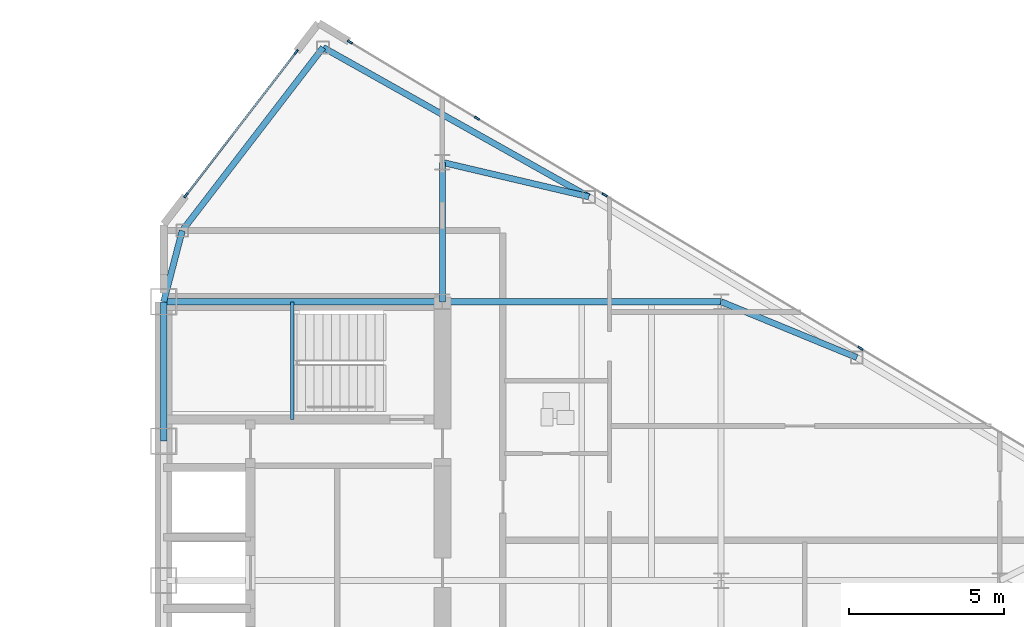
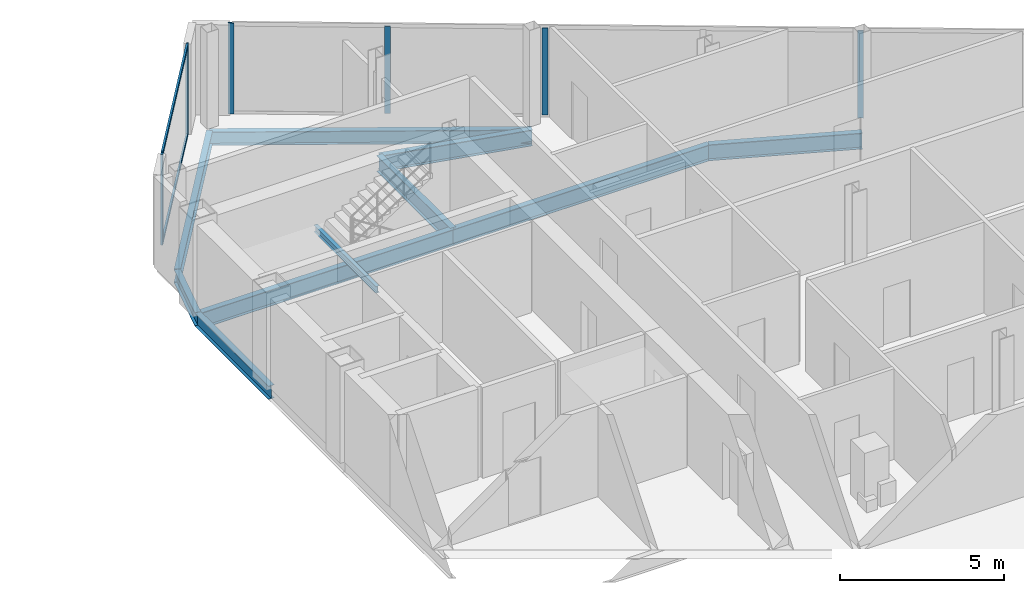
# One storey, part 15 of 26: 10 beams, 8 members, 2 elements without a shape of their own.
"""IFC4 building model written with IfcOpenShell, lengths in metres."""

from ifc_helpers import new_model, si_unit, direction, frame, origin, origin_2d, place, context, subcontext, project, spatial, rectangle, i_section, extrude, source, transform, mapped, material, layer, layer_set, material_profile, profile_set, type_object, type_shapes, element, aggregate, save


model = new_model("IFC4")

# Units and contexts
model_context = context("Model", 3, precision=1e-05, world=origin(), true_north=direction((0.0, 1.0)))
body_context = subcontext(model_context, "Body", "Model", "MODEL_VIEW")
ifc_project = project(units=[si_unit("LENGTHUNIT", "METRE"), si_unit("AREAUNIT", "SQUARE_METRE"), si_unit("VOLUMEUNIT", "CUBIC_METRE"), si_unit("PLANEANGLEUNIT", "RADIAN"), si_unit("MASSUNIT", "GRAM", prefix="KILO")], contexts=[model_context])

# Site, building, storey
site_placement = place(None, origin())
site = spatial("IfcSite", under=ifc_project, at=site_placement, CompositionType="ELEMENT")
building_placement = place(site_placement, origin())
building = spatial("IfcBuilding", under=site, at=building_placement, Name="Seokmaru Belvedere", CompositionType="ELEMENT")
storey_placement = place(building_placement, frame((0.0, 0.0, 199.5)))
storey = spatial("IfcBuildingStorey", under=building, at=storey_placement, Name="L53", CompositionType="ELEMENT", Elevation=199.5)

# Beams
ifc_material_1 = material(Name="Steel SM355 (355 MPa)", Category="steel")
ifc_material_profile_1 = material_profile(ifc_material_1, i_section(OverallWidth=0.199951171875, OverallDepth=0.5, WebThickness=0.010009765625, FlangeThickness=0.01611328125, at=origin_2d()), Name="H-500x200x10x16")
ifc_profile_set_1 = profile_set([ifc_material_profile_1], Name="Steel SM355 (355 MPa)")
beam_type_1 = type_object("IfcBeamType", Name="Perimeter Spandrel Beam H-500", PredefinedType="SPANDREL", material=ifc_profile_set_1)
shared_shape_1 = source(origin(), body_context, "Body", "SweptSolid", [
    extrude(i_section(OverallWidth=0.199951171875, OverallDepth=0.5, WebThickness=0.010009765625, FlangeThickness=0.01611328125, at=origin_2d()), origin(), (0.0, 0.0, 1.0), 4.5),
])
beam_1_placement = place(storey_placement, frame((27.5, 9.0, -0.469970703125), z_axis=(0.0, 1.0, 0.0), x_axis=(-1.0, 0.0, 0.0)))
element("IfcBeam", 1, at=beam_1_placement, inside=storey, type_object=beam_type_1, Name="L53 E Portal Spine Spandrel 5", PredefinedType="SPANDREL", context=body_context, shape_type="MappedRepresentation", body=[
    mapped(shared_shape_1, transform((0.0, 0.0, 0.0), scale=1.0)),
])
ifc_material_profile_2 = material_profile(ifc_material_1, i_section(OverallWidth=0.199951171875, OverallDepth=0.60009765625, WebThickness=0.010986328125, FlangeThickness=0.01708984375, at=origin_2d()), Name="H-600x200x11x17")
ifc_profile_set_2 = profile_set([ifc_material_profile_2], Name="Steel SM355 (355 MPa)")
beam_type_2 = type_object("IfcBeamType", Name="Primary Floor Girder H-600", PredefinedType="BEAM", material=ifc_profile_set_2)
shared_shape_2 = source(origin(), body_context, "Body", "SweptSolid", [
    extrude(i_section(OverallWidth=0.199951171875, OverallDepth=0.60009765625, WebThickness=0.010986328125, FlangeThickness=0.01708984375, at=origin_2d()), origin(), (0.0, 0.0, 1.0), 9.0),
])
for number, where, z_axis, x_axis, name in (
    (2, (27.5, 13.5, -0.52001953125), (1.0, 0.0, 0.0), (0.0, 1.0, 0.0), "L53 E Core Tie Girder 4"),
    (3, (36.5, 13.5, -0.52001953125), (1.0, 0.0, 0.0), (0.0, 1.0, 0.0), "L53 E Wing Primary Girder 4"),
):
    element("IfcBeam", number, at=place(storey_placement, frame(where, z_axis=z_axis, x_axis=x_axis)), inside=storey, type_object=beam_type_2, Name=name, PredefinedType="BEAM", context=body_context, shape_type="MappedRepresentation", body=[
        mapped(shared_shape_2, transform((0.0, 0.0, 0.0), scale=1.0)),
    ])
shared_shape_3 = source(origin(), body_context, "Body", "SweptSolid", [
    extrude(i_section(OverallWidth=0.199951171875, OverallDepth=0.60009765625, WebThickness=0.010986328125, FlangeThickness=0.01708984375, at=origin_2d()), origin(), (0.0, 0.0, 1.0), 4.5),
])
beam_2_placement = place(storey_placement, frame((36.5, 13.5, -0.52001953125), z_axis=(0.0, 1.0, 0.0), x_axis=(-1.0, 0.0, 0.0)))
element("IfcBeam", 4, at=beam_2_placement, inside=storey, type_object=beam_type_2, Name="L53 E Core Shoulder Girder N", PredefinedType="BEAM", context=body_context, shape_type="MappedRepresentation", body=[
    mapped(shared_shape_3, transform((0.0, 0.0, 0.0), scale=1.0)),
])
shared_shape_4 = source(origin(), body_context, "Body", "SweptSolid", [
    extrude(i_section(OverallWidth=0.199951171875, OverallDepth=0.5, WebThickness=0.010009765625, FlangeThickness=0.01611328125, at=origin_2d()), origin(), (0.0, 0.0, 1.0), 9.842041015625),
])
beam_3_placement = place(storey_placement, frame((32.649658203125, 21.71044921875, -0.469970703125), z_axis=(0.871782151818, -0.489893743349, 0.0), x_axis=(0.489893743349, 0.871782151818, 0.0)))
element("IfcBeam", 5, at=beam_3_placement, inside=storey, type_object=beam_type_1, Name="L53 E Faceted Flank Spandrel N-1", PredefinedType="SPANDREL", context=body_context, shape_type="MappedRepresentation", body=[
    mapped(shared_shape_4, transform((0.0, 0.0, 0.0), scale=1.0)),
])
shared_shape_5 = source(origin(), body_context, "Body", "SweptSolid", [
    extrude(i_section(OverallWidth=0.199951171875, OverallDepth=0.5, WebThickness=0.010009765625, FlangeThickness=0.01611328125, at=origin_2d()), origin(), (0.0, 0.0, 1.0), 7.4619140625),
])
beam_4_placement = place(storey_placement, frame((32.649658203125, 21.71044921875, -0.469970703125), z_axis=(-0.609702854945, -0.792630070507, 0.0), x_axis=(0.792630070507, -0.609702854945, 0.0)))
element("IfcBeam", 6, at=beam_4_placement, inside=storey, type_object=beam_type_1, Name="L53 E Shoulder Chamfer Spandrel N", PredefinedType="SPANDREL", context=body_context, shape_type="MappedRepresentation", body=[
    mapped(shared_shape_5, transform((0.0, 0.0, 0.0), scale=1.0)),
])
shared_shape_6 = source(origin(), body_context, "Body", "SweptSolid", [
    extrude(i_section(OverallWidth=0.199951171875, OverallDepth=0.5, WebThickness=0.010009765625, FlangeThickness=0.01611328125, at=origin_2d()), origin(), (0.0, 0.0, 1.0), 2.373046875),
])
type_shapes(beam_type_1, [shared_shape_1, shared_shape_4, shared_shape_5, shared_shape_6])
beam_5_placement = place(storey_placement, frame((28.10009765625, 15.7958984375, -0.469970703125), z_axis=(-0.252882558842, -0.967496982648, 0.0), x_axis=(0.967496982648, -0.252882558842, 0.0)))
element("IfcBeam", 7, at=beam_5_placement, inside=storey, type_object=beam_type_1, Name="L53 E Shoulder Spine Spandrel N", PredefinedType="SPANDREL", context=body_context, shape_type="MappedRepresentation", body=[
    mapped(shared_shape_6, transform((0.0, 0.0, 0.0), scale=1.0)),
])
shared_shape_7 = source(origin(), body_context, "Body", "SweptSolid", [
    extrude(i_section(OverallWidth=0.199951171875, OverallDepth=0.60009765625, WebThickness=0.010986328125, FlangeThickness=0.01708984375, at=origin_2d()), origin(), (0.0, 0.0, 1.0), 4.8583984375),
])
beam_6_placement = place(storey_placement, frame((41.229736328125, 16.888916015625, -0.52001953125), z_axis=(-0.97349948295, 0.228689214211, 0.0), x_axis=(-0.228689214211, -0.97349948295, 0.0)))
element("IfcBeam", 8, at=beam_6_placement, inside=storey, type_object=beam_type_2, Name="L53 E Flank Radial Floor Girder N-1", PredefinedType="BEAM", context=body_context, shape_type="MappedRepresentation", body=[
    mapped(shared_shape_7, transform((0.0, 0.0, 0.0), scale=1.0)),
])
shared_shape_8 = source(origin(), body_context, "Body", "SweptSolid", [
    extrude(i_section(OverallWidth=0.199951171875, OverallDepth=0.60009765625, WebThickness=0.010986328125, FlangeThickness=0.01708984375, at=origin_2d()), origin(), (0.0, 0.0, 1.0), 4.73583984375),
])
type_shapes(beam_type_2, [shared_shape_2, shared_shape_3, shared_shape_7, shared_shape_8])
beam_7_placement = place(storey_placement, frame((49.8798828125, 11.698974609375, -0.52001953125), z_axis=(-0.924860562953, 0.380306375301, 0.0), x_axis=(-0.380306375301, -0.924860562953, 0.0)))
element("IfcBeam", 9, at=beam_7_placement, inside=storey, type_object=beam_type_2, Name="L53 E Flank Radial Floor Girder N-2", PredefinedType="BEAM", context=body_context, shape_type="MappedRepresentation", body=[
    mapped(shared_shape_8, transform((0.0, 0.0, 0.0), scale=1.0)),
])

# Curtain wall, member
ifc_material_2 = material(Name="Bronze Triple Insulating Glass", Category="glass")
ifc_layer = layer(ifc_material_2, 0.179931640625)
ifc_layer_set = layer_set([ifc_layer], Name="Bronze Triple Insulating Glass")
curtain_wall_type = type_object("IfcCurtainWallType", Name="High-Rise Wind-Corner Curtain Wall System CW-5", PredefinedType="NOTDEFINED", material=ifc_layer_set)
curtain_wall_1_placement = place(storey_placement, origin())
curtain_wall_1 = element("IfcCurtainWall", 10, at=curtain_wall_1_placement, inside=storey, type_object=curtain_wall_type, Name="L53 Curtain Wall EF3", PredefinedType="NOTDEFINED")
ifc_material_3 = material(Name="Anodised Bronze Aluminium", Category="aluminium")
ifc_material_profile_3 = material_profile(ifc_material_3, rectangle(XDim=0.06494140625, YDim=0.179931640625, at=origin_2d()), Name="CW-M-65x180")
ifc_profile_set_3 = profile_set([ifc_material_profile_3], Name="Anodised Bronze Aluminium")
member_type_1 = type_object("IfcMemberType", Name="Bronze Unitised Mullion 65x180", PredefinedType="MULLION", material=ifc_profile_set_3)
shared_shape_9 = source(origin(), body_context, "Body", "SweptSolid", [
    extrude(rectangle(XDim=0.06494140625, YDim=0.179931640625, at=origin_2d()), origin(), (0.0, 0.0, 1.0), 3.3798828125),
])
member_1_placement = place(storey_placement, frame((33.513916015625, 21.8916015625, 0.0), z_axis=(0.0, 0.0, 1.0), x_axis=(-0.514494909364, -0.85749343335, 0.0)))
member_1 = element("IfcMember", 11, at=member_1_placement, type_object=member_type_1, Name="CW:L53:EF3 Mullion 9", PredefinedType="MULLION", context=body_context, shape_type="MappedRepresentation", body=[
    mapped(shared_shape_9, transform((0.0, 0.0, 0.0), scale=1.0)),
])

# Curtain wall, members
curtain_wall_2_placement = place(storey_placement, origin())
curtain_wall_2 = element("IfcCurtainWall", 12, at=curtain_wall_2_placement, inside=storey, type_object=curtain_wall_type, Name="L53 Curtain Wall EF4", PredefinedType="NOTDEFINED")
member_2_placement = place(storey_placement, frame((31.779052734375, 21.562744140625, 0.0), z_axis=(0.0, 0.0, 1.0), x_axis=(0.792631353244, -0.609701187349, 0.0)))
member_2 = element("IfcMember", 13, at=member_2_placement, type_object=member_type_1, Name="CW:L53:EF4 Mullion 1", PredefinedType="MULLION", context=body_context, shape_type="MappedRepresentation", body=[
    mapped(shared_shape_9, transform((0.0, 0.0, 0.0), scale=1.0)),
])
member_3_placement = place(storey_placement, frame((28.220947265625, 16.937255859375, 0.0), z_axis=(0.0, 0.0, 1.0), x_axis=(0.792631353244, -0.609701187349, 0.0)))
member_3 = element("IfcMember", 14, at=member_3_placement, type_object=member_type_1, Name="CW:L53:EF4 Mullion 2", PredefinedType="MULLION", context=body_context, shape_type="MappedRepresentation", body=[
    mapped(shared_shape_9, transform((0.0, 0.0, 0.0), scale=1.0)),
])

# Member
shared_shape_10 = source(origin(), body_context, "Body", "SweptSolid", [
    extrude(rectangle(XDim=0.06494140625, YDim=0.179931640625, at=origin_2d()), origin(), (0.0, 0.0, 1.0), 3.25),
])
type_shapes(member_type_1, [shared_shape_9, shared_shape_10])
member_4_placement = place(storey_placement, frame((50.0, 12.0, 0.06494140625), z_axis=(0.0, 0.0, 1.0), x_axis=(-0.514494909364, -0.85749343335, 0.0)))
member_4 = element("IfcMember", 15, at=member_4_placement, type_object=member_type_1, Name="CW:L53:EF3 Mullion 5", PredefinedType="MULLION", context=body_context, shape_type="MappedRepresentation", body=[
    mapped(shared_shape_10, transform((0.0, 0.0, 0.0), scale=1.0)),
])

member_5_placement = place(storey_placement, frame((41.742919921875, 16.9541015625, 0.06494140625), z_axis=(0.0, 0.0, 1.0), x_axis=(-0.514494909364, -0.85749343335, 0.0)))
member_5 = element("IfcMember", 16, at=member_5_placement, type_object=member_type_1, Name="CW:L53:EF3 Mullion 7", PredefinedType="MULLION", context=body_context, shape_type="MappedRepresentation", body=[
    mapped(shared_shape_10, transform((0.0, 0.0, 0.0), scale=1.0)),
])

member_6_placement = place(storey_placement, frame((37.614501953125, 19.43115234375, 0.06494140625), z_axis=(0.0, 0.0, 1.0), x_axis=(-0.514494909364, -0.85749343335, 0.0)))
member_6 = element("IfcMember", 17, at=member_6_placement, type_object=member_type_1, Name="CW:L53:EF3 Mullion 8", PredefinedType="MULLION", context=body_context, shape_type="MappedRepresentation", body=[
    mapped(shared_shape_10, transform((0.0, 0.0, 0.0), scale=1.0)),
])

aggregate(curtain_wall_1, [member_4, member_5, member_6, member_1])

ifc_material_profile_4 = material_profile(ifc_material_3, rectangle(XDim=0.06494140625, YDim=0.14990234375, at=origin_2d()), Name="CW-T-65x150")
ifc_profile_set_4 = profile_set([ifc_material_profile_4], Name="Anodised Bronze Aluminium")
member_type_2 = type_object("IfcMemberType", Name="Bronze Unitised Transom 65x150", PredefinedType="USERDEFINED", material=ifc_profile_set_4)
shared_shape_11 = source(origin(), body_context, "Body", "SweptSolid", [
    extrude(rectangle(XDim=0.06494140625, YDim=0.14990234375, at=origin_2d()), origin(), (0.0, 0.0, 1.0), 5.77099609375),
])
type_shapes(member_type_2, [shared_shape_11])
member_7_placement = place(storey_placement, frame((31.75927734375, 21.537109375, 0.032470703125), z_axis=(-0.60970258286, -0.792630279799, 0.0), x_axis=(0.792630279799, -0.60970258286, 0.0)))
member_7 = element("IfcMember", 18, at=member_7_placement, type_object=member_type_2, Name="CW:L53:EF4 Continuous Transom 1", ObjectType="TRANSOM", PredefinedType="USERDEFINED", context=body_context, shape_type="MappedRepresentation", body=[
    mapped(shared_shape_11, transform((0.0, 0.0, 0.0), scale=1.0)),
])

member_8_placement = place(storey_placement, frame((31.75927734375, 21.537109375, 3.347412109375), z_axis=(-0.60970258286, -0.792630279799, 0.0), x_axis=(0.792630279799, -0.60970258286, 0.0)))
member_8 = element("IfcMember", 19, at=member_8_placement, type_object=member_type_2, Name="CW:L53:EF4 Continuous Transom 2", ObjectType="TRANSOM", PredefinedType="USERDEFINED", context=body_context, shape_type="MappedRepresentation", body=[
    mapped(shared_shape_11, transform((0.0, 0.0, 0.0), scale=1.0)),
])

aggregate(curtain_wall_2, [member_2, member_3, member_7, member_8])

# Beam
ifc_material_profile_5 = material_profile(ifc_material_1, i_section(OverallWidth=0.125, OverallDepth=0.25, WebThickness=0.006103515625, FlangeThickness=0.009033203125, at=origin_2d()), Name="H-250x125x6x9")
ifc_profile_set_5 = profile_set([ifc_material_profile_5], Name="Steel SM355 (355 MPa)")
beam_type_3 = type_object("IfcBeamType", Name="Stair Mid-Landing Support Beam H-250", PredefinedType="JOIST", material=ifc_profile_set_5)
shared_shape_12 = source(origin(), body_context, "Body", "SweptSolid", [
    extrude(i_section(OverallWidth=0.125, OverallDepth=0.25, WebThickness=0.006103515625, FlangeThickness=0.009033203125, at=origin_2d()), origin(), (0.0, 0.0, 1.0), 3.800048828125),
])
type_shapes(beam_type_3, [shared_shape_12])
beam_8_placement = place(storey_placement, frame((31.64990234375, 9.699951171875, 1.47509765625), z_axis=(0.0, 1.0, 0.0), x_axis=(-1.0, 0.0, 0.0)))
element("IfcBeam", 20, at=beam_8_placement, inside=storey, type_object=beam_type_3, Name="L53 Stair ST-E2 Mid-Landing Support Beam 1", PredefinedType="JOIST", context=body_context, shape_type="MappedRepresentation", body=[
    mapped(shared_shape_12, transform((0.0, 0.0, 0.0), scale=1.0)),
])

save(model, "model.ifc")
